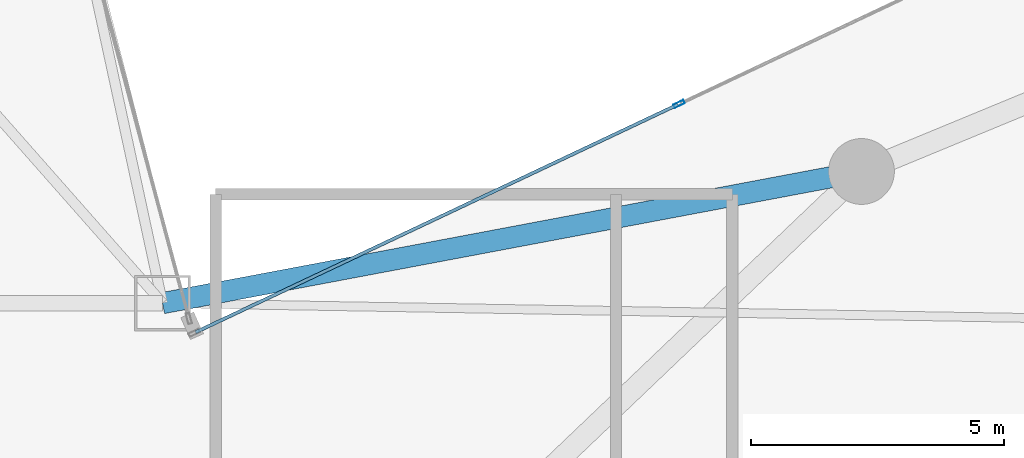
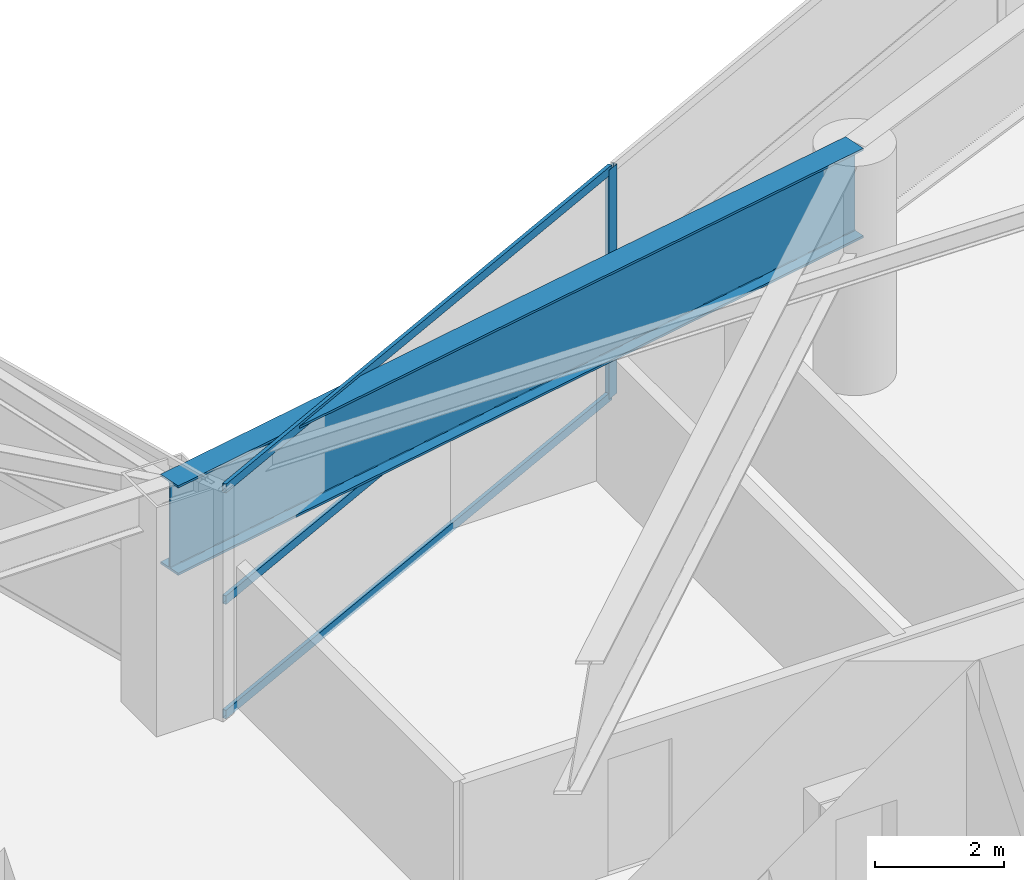
# One storey, part 4 of 18: 4 members, 1 beam, 1 element without a shape of its own.
"""IFC4 building model written with IfcOpenShell, lengths in metres."""

from ifc_helpers import new_model, si_unit, direction, frame, origin, origin_2d, place, context, subcontext, project, spatial, hollow_rectangle, i_section, extrude, material, layer, layer_set, material_profile, profile_set, type_object, element, aggregate, save


model = new_model("IFC4")

# Units and contexts
model_context = context("Model", 3, precision=1e-05, world=origin(), true_north=direction((0.0, 1.0)))
body_context = subcontext(model_context, "Body", "Model", "MODEL_VIEW")
ifc_project = project(units=[si_unit("LENGTHUNIT", "METRE"), si_unit("AREAUNIT", "SQUARE_METRE"), si_unit("VOLUMEUNIT", "CUBIC_METRE"), si_unit("PLANEANGLEUNIT", "RADIAN"), si_unit("MASSUNIT", "GRAM", prefix="KILO")], contexts=[model_context])

# Site, building, storey
site_placement = place(None, origin())
site = spatial("IfcSite", under=ifc_project, at=site_placement, CompositionType="ELEMENT")
building_placement = place(site_placement, origin())
building = spatial("IfcBuilding", under=site, at=building_placement, Name="Calvorn Quay Hotel", CompositionType="ELEMENT")
storey_placement = place(building_placement, frame((0.0, 0.0, 92.60009765625)))
storey = spatial("IfcBuildingStorey", under=building, at=storey_placement, Name="L22", CompositionType="ELEMENT", Elevation=92.60009765625)

# Beam
ifc_material_1 = material(Name="Steel Q420GJC", Category="steel")
ifc_material_profile_1 = material_profile(ifc_material_1, i_section(OverallWidth=0.419921875, OverallDepth=1.699951171875, WebThickness=0.02392578125, FlangeThickness=0.0419921875, FilletRadius=0.02392578125, at=origin_2d()), Name="HN1700x420x24x42")
ifc_profile_set_1 = profile_set([ifc_material_profile_1], Name="Steel Q420GJC")
beam_type = type_object("IfcBeamType", Name="BM-XFER-SAWTOOTH", PredefinedType="BEAM", material=ifc_profile_set_1)
beam_placement = place(storey_placement, frame((34.800048828125, 27.60009765625, 3.5), z_axis=(-0.982709432406, -0.185154452988, 0.0), x_axis=(0.185154452988, -0.982709432406, 0.0)))
element("IfcBeam", 1, at=beam_placement, inside=storey, type_object=beam_type, Name="Beam BSP-L22-E5", PredefinedType="BEAM", context=body_context, shape_type="SweptSolid", body=[
    extrude(i_section(OverallWidth=0.419921875, OverallDepth=1.699951171875, WebThickness=0.02392578125, FlangeThickness=0.0419921875, FilletRadius=0.02392578125, at=origin_2d()), origin(), (0.0, 0.0, 1.0), 14.04296875),
])

# Curtain wall, members
ifc_material_2 = material(Name="Pale Anodised Aluminium and Low-E Glass", Category="aluminium")
ifc_layer = layer(ifc_material_2, 0.219970703125)
ifc_layer_set = layer_set([ifc_layer], Name="CW-SYS-Z1")
curtain_wall_type = type_object("IfcCurtainWallType", Name="CW-SYS-Z1", PredefinedType="NOTDEFINED", material=ifc_layer_set)
curtain_wall_placement = place(storey_placement, origin())
curtain_wall = element("IfcCurtainWall", 2, at=curtain_wall_placement, inside=storey, type_object=curtain_wall_type, Name="Inner Court Curtain Wall L22-NE1", PredefinedType="NOTDEFINED")
ifc_material_3 = material(Name="Pale Anodised Aluminium 6063-T6", Category="aluminium")
ifc_material_profile_2 = material_profile(ifc_material_3, hollow_rectangle(XDim=0.074951171875, YDim=0.219970703125, WallThickness=0.00439453125, at=origin_2d()), Name="ALU-M220x75x4.5")
ifc_profile_set_2 = profile_set([ifc_material_profile_2], Name="Pale Anodised Aluminium 6063-T6")
member_type_1 = type_object("IfcMemberType", Name="CW-SYS-Z1-MUL", PredefinedType="MULLION", material=ifc_profile_set_2)
member_1_placement = place(storey_placement, frame((31.199951171875, 28.933349609375, 0.0), z_axis=(0.0, 0.0, 1.0), x_axis=(0.427006305415, -0.904248646743, 0.0)))
member_1 = element("IfcMember", 3, at=member_1_placement, type_object=member_type_1, Name="CW-L22-NE1 mullion 3", PredefinedType="MULLION", context=body_context, shape_type="SweptSolid", body=[
    extrude(hollow_rectangle(XDim=0.074951171875, YDim=0.219970703125, WallThickness=0.00439453125, at=origin_2d()), origin(), (0.0, 0.0, 1.0), 4.349853515625),
])
ifc_material_4 = material(Name="Pale Anodised Aluminium 6063-T6", Category="aluminium")
ifc_material_profile_3 = material_profile(ifc_material_4, hollow_rectangle(XDim=0.06494140625, YDim=0.1650390625, WallThickness=0.00341796875, at=origin_2d()), Name="ALU-T165x65x3.5")
ifc_profile_set_3 = profile_set([ifc_material_profile_3], Name="Pale Anodised Aluminium 6063-T6")
member_type_2 = type_object("IfcMemberType", Name="CW-SYS-Z1-TRN", PredefinedType="USERDEFINED", material=ifc_profile_set_3)
member_2_placement = place(storey_placement, frame((31.1728515625, 28.92041015625, 0.02978515625), z_axis=(-0.904248646746, -0.427006305408, 0.0), x_axis=(0.427006305408, -0.904248646746, 0.0)))
member_2 = element("IfcMember", 4, at=member_2_placement, type_object=member_type_2, Name="CW-L22-NE1 transom 3.1", ObjectType="TRANSOM", PredefinedType="USERDEFINED", context=body_context, shape_type="SweptSolid", body=[
    extrude(hollow_rectangle(XDim=0.06494140625, YDim=0.1650390625, WallThickness=0.00341796875, at=origin_2d()), origin(), (0.0, 0.0, 1.0), 10.5263671875),
])
member_3_placement = place(storey_placement, frame((31.1728515625, 28.92041015625, 2.199951171875), z_axis=(-0.904248646746, -0.427006305408, 0.0), x_axis=(0.427006305408, -0.904248646746, 0.0)))
member_3 = element("IfcMember", 5, at=member_3_placement, type_object=member_type_2, Name="CW-L22-NE1 transom 3.2", ObjectType="TRANSOM", PredefinedType="USERDEFINED", context=body_context, shape_type="SweptSolid", body=[
    extrude(hollow_rectangle(XDim=0.06494140625, YDim=0.1650390625, WallThickness=0.00341796875, at=origin_2d()), origin(), (0.0, 0.0, 1.0), 10.5263671875),
])
member_4_placement = place(storey_placement, frame((31.1728515625, 28.92041015625, 4.31982421875), z_axis=(-0.904248646746, -0.427006305408, 0.0), x_axis=(0.427006305408, -0.904248646746, 0.0)))
member_4 = element("IfcMember", 6, at=member_4_placement, type_object=member_type_2, Name="CW-L22-NE1 transom 3.3", ObjectType="TRANSOM", PredefinedType="USERDEFINED", context=body_context, shape_type="SweptSolid", body=[
    extrude(hollow_rectangle(XDim=0.06494140625, YDim=0.1650390625, WallThickness=0.00341796875, at=origin_2d()), origin(), (0.0, 0.0, 1.0), 10.5263671875),
])
aggregate(curtain_wall, [member_1, member_2, member_3, member_4])

save(model, "model.ifc")
